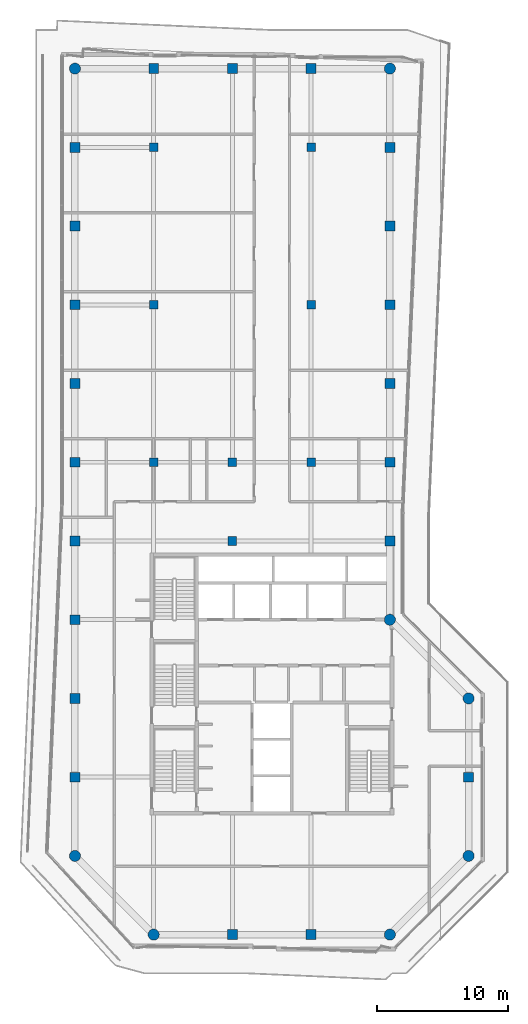
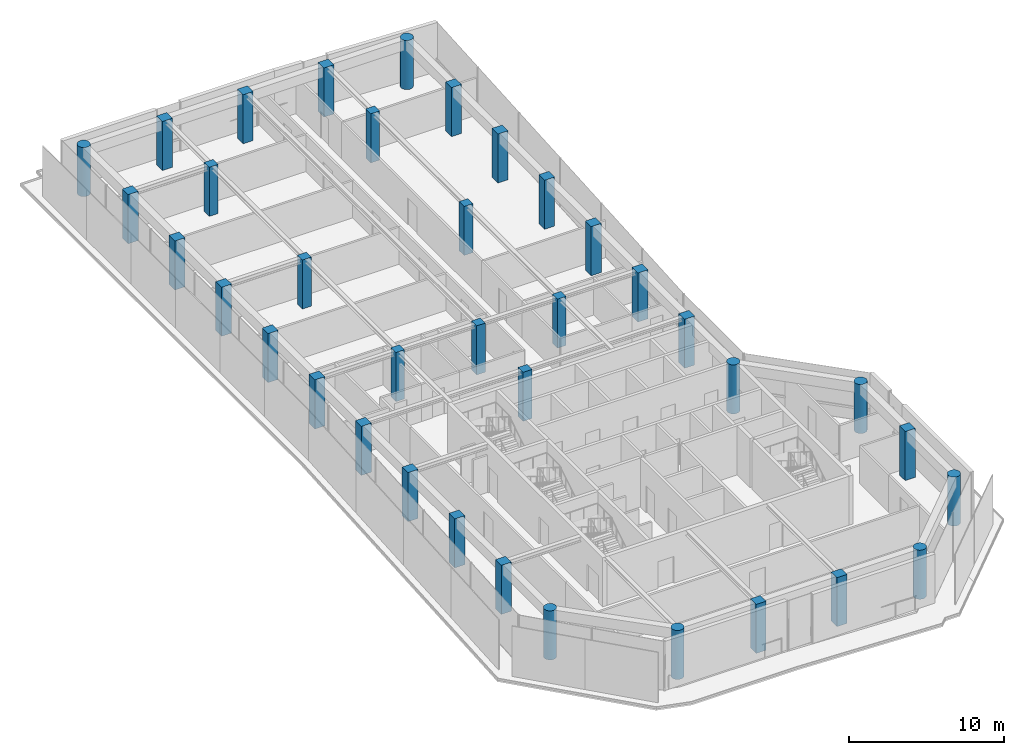
# One storey, part 1 of 19: 37 columns.
"""IFC4 building model written with IfcOpenShell, lengths in metres."""

from ifc_helpers import new_model, si_unit, direction, frame, origin, origin_2d, place, context, subcontext, project, spatial, rectangle, circle, extrude, material, material_profile, profile_set, type_object, element, save


model = new_model("IFC4")

# Units and contexts
model_context = context("Model", 3, precision=1e-05, world=origin(), true_north=direction((0.0, 1.0)))
body_context = subcontext(model_context, "Body", "Model", "MODEL_VIEW")
ifc_project = project(units=[si_unit("LENGTHUNIT", "METRE"), si_unit("AREAUNIT", "SQUARE_METRE"), si_unit("VOLUMEUNIT", "CUBIC_METRE"), si_unit("PLANEANGLEUNIT", "RADIAN"), si_unit("MASSUNIT", "GRAM", prefix="KILO")], contexts=[model_context])

# Site, building, storey
site_placement = place(None, origin())
site = spatial("IfcSite", under=ifc_project, at=site_placement, CompositionType="ELEMENT")
building_placement = place(site_placement, origin())
building = spatial("IfcBuilding", under=site, at=building_placement, Name="Welwitschia Terrace Campus", CompositionType="ELEMENT")
storey_placement = place(building_placement, frame((0.0, 0.0, 276.800048828125)))
storey = spatial("IfcBuildingStorey", under=building, at=storey_placement, Name="L61", CompositionType="ELEMENT", Elevation=276.800048828125)

# Columns
ifc_material_1 = material(Name="Concrete C50/60", Category="concrete")
ifc_material_profile_1 = material_profile(ifc_material_1, circle(Radius=0.425048828125, at=origin_2d()))
ifc_profile_set_1 = profile_set([ifc_material_profile_1], Name="Concrete C50/60")
column_type_1 = type_object("IfcColumnType", Name="Corner column 850 dia", PredefinedType="COLUMN", material=ifc_profile_set_1)
for number, where, z_axis, x_axis, name in (
    (1, (0.0, 2.0, 0.0), (0.0, 0.0, 1.0), (1.0, 0.0, 0.0), "Column C41"),
    (2, (0.0, 62.0, 0.0), (0.0, 0.0, 1.0), (1.0, 0.0, 0.0), "Column C41"),
    (3, (6.0, -4.0, 0.0), (0.0, 0.0, 1.0), (1.0, 0.0, 0.0), "Column C41"),
    (4, (24.0, -4.0, 0.0), (0.0, 0.0, 1.0), (1.0, 0.0, 0.0), "Column C41"),
    (5, (24.0, 20.0, 0.0), (0.0, 0.0, 1.0), (1.0, 0.0, 0.0), "Column C41"),
    (6, (24.0, 62.0, 0.0), (0.0, 0.0, 1.0), (1.0, 0.0, 0.0), "Column C41"),
    (7, (30.0, 2.0, 0.0), (0.0, 0.0, 1.0), (1.0, 0.0, 0.0), "Column C41"),
    (8, (30.0, 14.0, 0.0), (0.0, 0.0, 1.0), (1.0, 0.0, 0.0), "Column C41"),
):
    element("IfcColumn", number, at=place(storey_placement, frame(where, z_axis=z_axis, x_axis=x_axis)), inside=storey, type_object=column_type_1, Name=name, PredefinedType="COLUMN", context=body_context, shape_type="SweptSolid", body=[
        extrude(circle(Radius=0.425048828125, at=origin_2d()), origin(), (0.0, 0.0, 1.0), 3.849853515625),
    ])
ifc_material_2 = material(Name="Concrete C50/60", Category="concrete")
ifc_material_profile_2 = material_profile(ifc_material_2, rectangle(XDim=0.64990234375, YDim=0.64990234375, at=origin_2d()))
ifc_profile_set_2 = profile_set([ifc_material_profile_2], Name="Concrete C50/60")
column_type_2 = type_object("IfcColumnType", Name="Interior column 650x650", PredefinedType="COLUMN", material=ifc_profile_set_2)
for number, where, z_axis, x_axis, name in (
    (9, (6.0, 32.0, 0.0), (0.0, 0.0, 1.0), (1.0, 0.0, 0.0), "Column C43"),
    (10, (6.0, 44.0, 0.0), (0.0, 0.0, 1.0), (1.0, 0.0, 0.0), "Column C43"),
    (11, (6.0, 56.0, 0.0), (0.0, 0.0, 1.0), (1.0, 0.0, 0.0), "Column C43"),
    (12, (12.0, 26.0, 0.0), (0.0, 0.0, 1.0), (1.0, 0.0, 0.0), "Column C43"),
    (13, (12.0, 32.0, 0.0), (0.0, 0.0, 1.0), (1.0, 0.0, 0.0), "Column C43"),
    (14, (18.0, 32.0, 0.0), (0.0, 0.0, 1.0), (1.0, 0.0, 0.0), "Column C43"),
    (15, (18.0, 44.0, 0.0), (0.0, 0.0, 1.0), (1.0, 0.0, 0.0), "Column C43"),
    (16, (18.0, 56.0, 0.0), (0.0, 0.0, 1.0), (1.0, 0.0, 0.0), "Column C43"),
):
    element("IfcColumn", number, at=place(storey_placement, frame(where, z_axis=z_axis, x_axis=x_axis)), inside=storey, type_object=column_type_2, Name=name, PredefinedType="COLUMN", context=body_context, shape_type="SweptSolid", body=[
        extrude(rectangle(XDim=0.64990234375, YDim=0.64990234375, at=origin_2d()), origin(), (0.0, 0.0, 1.0), 3.849853515625),
    ])
ifc_material_3 = material(Name="Concrete C50/60", Category="concrete")
ifc_material_profile_3 = material_profile(ifc_material_3, rectangle(XDim=0.75, YDim=0.75, at=origin_2d()))
ifc_profile_set_3 = profile_set([ifc_material_profile_3], Name="Concrete C50/60")
column_type_3 = type_object("IfcColumnType", Name="Ring column 750x750", PredefinedType="COLUMN", material=ifc_profile_set_3)
for number, where, z_axis, x_axis, name in (
    (17, (0.0, 8.0, 0.0), (0.0, 0.0, 1.0), (1.0, 0.0, 0.0), "Column C42"),
    (18, (0.0, 14.0, 0.0), (0.0, 0.0, 1.0), (1.0, 0.0, 0.0), "Column C42"),
    (19, (0.0, 20.0, 0.0), (0.0, 0.0, 1.0), (1.0, 0.0, 0.0), "Column C42"),
    (20, (0.0, 26.0, 0.0), (0.0, 0.0, 1.0), (1.0, 0.0, 0.0), "Column C42"),
    (21, (0.0, 32.0, 0.0), (0.0, 0.0, 1.0), (1.0, 0.0, 0.0), "Column C42"),
    (22, (0.0, 38.0, 0.0), (0.0, 0.0, 1.0), (1.0, 0.0, 0.0), "Column C42"),
    (23, (0.0, 44.0, 0.0), (0.0, 0.0, 1.0), (1.0, 0.0, 0.0), "Column C42"),
    (24, (0.0, 50.0, 0.0), (0.0, 0.0, 1.0), (1.0, 0.0, 0.0), "Column C42"),
    (25, (0.0, 56.0, 0.0), (0.0, 0.0, 1.0), (1.0, 0.0, 0.0), "Column C42"),
    (26, (6.0, 62.0, 0.0), (0.0, 0.0, 1.0), (1.0, 0.0, 0.0), "Column C42"),
    (27, (12.0, -4.0, 0.0), (0.0, 0.0, 1.0), (1.0, 0.0, 0.0), "Column C42"),
    (28, (12.0, 62.0, 0.0), (0.0, 0.0, 1.0), (1.0, 0.0, 0.0), "Column C42"),
    (29, (18.0, -4.0, 0.0), (0.0, 0.0, 1.0), (1.0, 0.0, 0.0), "Column C42"),
    (30, (18.0, 62.0, 0.0), (0.0, 0.0, 1.0), (1.0, 0.0, 0.0), "Column C42"),
    (31, (24.0, 26.0, 0.0), (0.0, 0.0, 1.0), (1.0, 0.0, 0.0), "Column C42"),
    (32, (24.0, 32.0, 0.0), (0.0, 0.0, 1.0), (1.0, 0.0, 0.0), "Column C42"),
    (33, (24.0, 38.0, 0.0), (0.0, 0.0, 1.0), (1.0, 0.0, 0.0), "Column C42"),
    (34, (24.0, 44.0, 0.0), (0.0, 0.0, 1.0), (1.0, 0.0, 0.0), "Column C42"),
    (35, (24.0, 50.0, 0.0), (0.0, 0.0, 1.0), (1.0, 0.0, 0.0), "Column C42"),
    (36, (24.0, 56.0, 0.0), (0.0, 0.0, 1.0), (1.0, 0.0, 0.0), "Column C42"),
    (37, (30.0, 8.0, 0.0), (0.0, 0.0, 1.0), (1.0, 0.0, 0.0), "Column C42"),
):
    element("IfcColumn", number, at=place(storey_placement, frame(where, z_axis=z_axis, x_axis=x_axis)), inside=storey, type_object=column_type_3, Name=name, PredefinedType="COLUMN", context=body_context, shape_type="SweptSolid", body=[
        extrude(rectangle(XDim=0.75, YDim=0.75, at=origin_2d()), origin(), (0.0, 0.0, 1.0), 3.849853515625),
    ])

save(model, "model.ifc")
